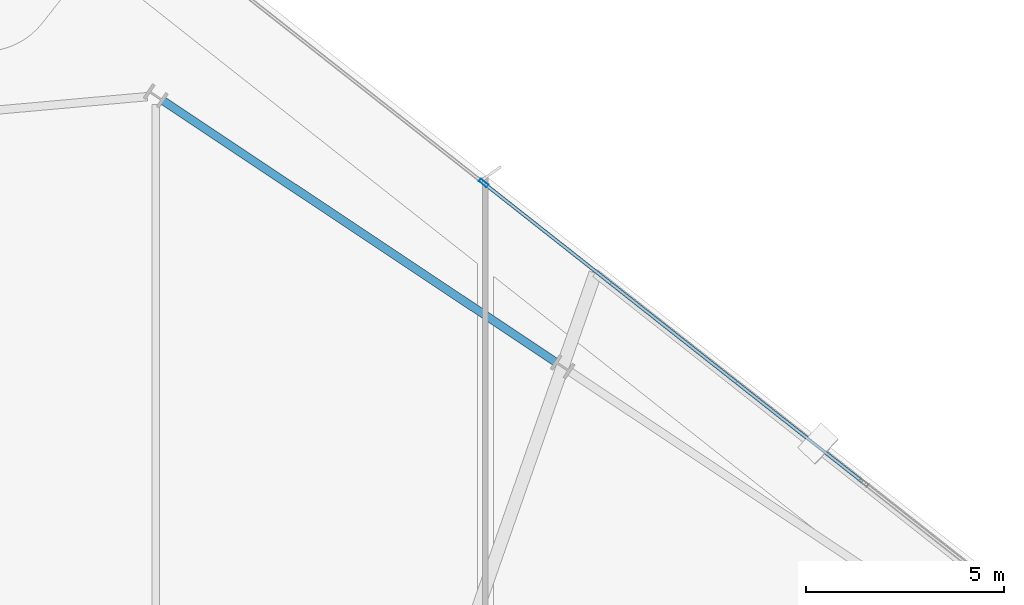
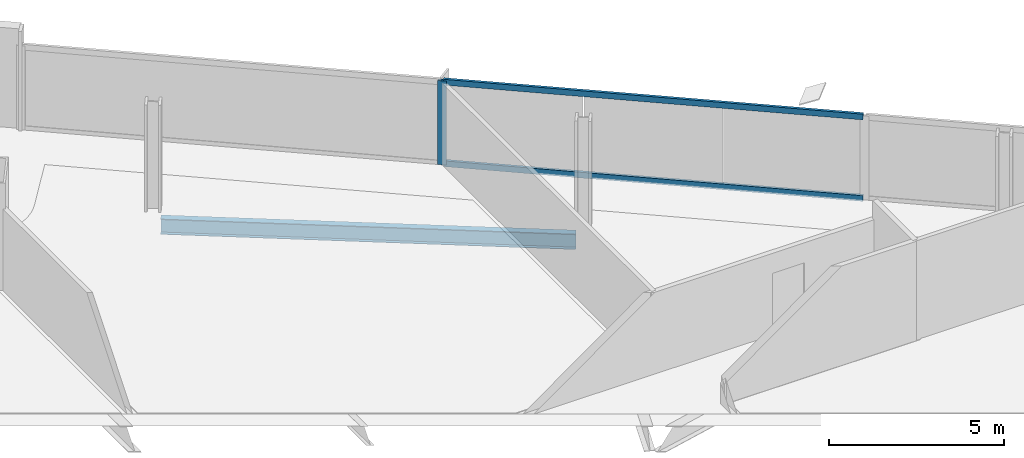
# One storey, part 18 of 28: 3 members, 1 beam, 1 element without a shape of its own.
"""IFC4 building model written with IfcOpenShell, lengths in metres."""

from ifc_helpers import new_model, si_unit, direction, frame, origin, origin_2d, place, context, subcontext, project, spatial, hollow_rectangle, i_section, extrude, material, material_profile, profile_set, type_object, element, aggregate, save


model = new_model("IFC4")

# Units and contexts
model_context = context("Model", 3, precision=1e-05, world=origin(), true_north=direction((0.0, 1.0)))
body_context = subcontext(model_context, "Body", "Model", "MODEL_VIEW")
ifc_project = project(units=[si_unit("LENGTHUNIT", "METRE"), si_unit("AREAUNIT", "SQUARE_METRE"), si_unit("VOLUMEUNIT", "CUBIC_METRE"), si_unit("PLANEANGLEUNIT", "RADIAN"), si_unit("MASSUNIT", "GRAM", prefix="KILO")], contexts=[model_context])

# Site, building, storey
site_placement = place(None, origin())
site = spatial("IfcSite", under=ifc_project, at=site_placement, CompositionType="ELEMENT")
building_placement = place(site_placement, origin())
building = spatial("IfcBuilding", under=site, at=building_placement, Name="Haldenkirk Collegiate Tower", CompositionType="ELEMENT")
storey_placement = place(building_placement, frame((0.0, 0.0, 202.199951171875)))
storey = spatial("IfcBuildingStorey", under=building, at=storey_placement, Name="L50", CompositionType="ELEMENT", Elevation=202.199951171875)

# Beam
ifc_material_1 = material(Name="Steel ASTM A992 Grade 50", Category="steel")
ifc_material_profile_1 = material_profile(ifc_material_1, i_section(OverallWidth=0.2099609375, OverallDepth=0.537109375, WebThickness=0.010986328125, FlangeThickness=0.017333984375, at=origin_2d()), Name="W21X68")
ifc_profile_set_1 = profile_set([ifc_material_profile_1], Name="Steel ASTM A992 Grade 50")
beam_type = type_object("IfcBeamType", Name="BM-SPANDREL-W21X68", PredefinedType="SPANDREL", material=ifc_profile_set_1)
beam_placement = place(storey_placement, frame((48.266845703125, 43.96240234375, -0.54833984375), z_axis=(-0.832429330124, 0.554131221237, 0.0), x_axis=(-0.554131221237, -0.832429330124, 0.0)))
element("IfcBeam", 1, at=beam_placement, inside=storey, type_object=beam_type, Name="L50 perimeter spandrel beam 07", PredefinedType="SPANDREL", context=body_context, shape_type="SweptSolid", body=[
    extrude(i_section(OverallWidth=0.2099609375, OverallDepth=0.537109375, WebThickness=0.010986328125, FlangeThickness=0.017333984375, at=origin_2d()), origin(), (0.0, 0.0, 1.0), 11.88525390625),
])

# Curtain wall, members
ifc_material_2 = material(Name="Anodised architectural bronze aluminium", Category="aluminium")
curtain_wall_type = type_object("IfcCurtainWallType", Name="CW-SYS1B-CONVEX-HI", PredefinedType="USERDEFINED", material=ifc_material_2)
curtain_wall_placement = place(storey_placement, origin())
curtain_wall = element("IfcCurtainWall", 2, at=curtain_wall_placement, inside=storey, type_object=curtain_wall_type, Name="L50 Upper tower high-wind convex bronze unitised curtain wall", ObjectType="UNITISED CURTAIN WALL", PredefinedType="USERDEFINED")
ifc_material_profile_2 = material_profile(ifc_material_2, hollow_rectangle(XDim=0.0849609375, YDim=0.25, WallThickness=0.0048828125, at=origin_2d()), Name="CW-MUL-1B")
ifc_profile_set_2 = profile_set([ifc_material_profile_2], Name="Anodised architectural bronze aluminium")
member_type_1 = type_object("IfcMemberType", Name="CW-MUL-1B", PredefinedType="MULLION", material=ifc_profile_set_2)
member_1_placement = place(storey_placement, frame((46.456298828125, 48.470703125, 0.0), z_axis=(0.0, 0.0, 1.0), x_axis=(0.619093295434, 0.785317446355, 0.0)))
member_1 = element("IfcMember", 3, at=member_1_placement, type_object=member_type_1, Name="CW-1B mullion 2", PredefinedType="MULLION", context=body_context, shape_type="SweptSolid", body=[
    extrude(hollow_rectangle(XDim=0.0849609375, YDim=0.25, WallThickness=0.0048828125, at=origin_2d()), origin(), (0.0, 0.0, 1.0), 2.927978515625),
])
ifc_material_profile_3 = material_profile(ifc_material_2, hollow_rectangle(XDim=0.0849609375, YDim=0.199951171875, WallThickness=0.0048828125, at=origin_2d()), Name="CW-TRN-1B")
ifc_profile_set_3 = profile_set([ifc_material_profile_3], Name="Anodised architectural bronze aluminium")
member_type_2 = type_object("IfcMemberType", Name="CW-TRN-1B", PredefinedType="USERDEFINED", material=ifc_profile_set_3)
member_2_placement = place(storey_placement, frame((46.48974609375, 48.4443359375, 0.04248046875), z_axis=(0.785313820281, -0.619097895067, 0.0), x_axis=(0.619097895067, 0.785313820281, 0.0)))
member_2 = element("IfcMember", 4, at=member_2_placement, type_object=member_type_2, Name="CW-1B transom 2.1", ObjectType="TRANSOM", PredefinedType="USERDEFINED", context=body_context, shape_type="SweptSolid", body=[
    extrude(hollow_rectangle(XDim=0.0849609375, YDim=0.199951171875, WallThickness=0.0048828125, at=origin_2d()), origin(), (0.0, 0.0, 1.0), 12.11474609375),
])
member_3_placement = place(storey_placement, frame((46.48974609375, 48.4443359375, 2.885498046875), z_axis=(0.785313820281, -0.619097895067, 0.0), x_axis=(0.619097895067, 0.785313820281, 0.0)))
member_3 = element("IfcMember", 5, at=member_3_placement, type_object=member_type_2, Name="CW-1B transom 2.2", ObjectType="TRANSOM", PredefinedType="USERDEFINED", context=body_context, shape_type="SweptSolid", body=[
    extrude(hollow_rectangle(XDim=0.0849609375, YDim=0.199951171875, WallThickness=0.0048828125, at=origin_2d()), origin(), (0.0, 0.0, 1.0), 12.11474609375),
])
aggregate(curtain_wall, [member_1, member_2, member_3])

save(model, "model.ifc")
